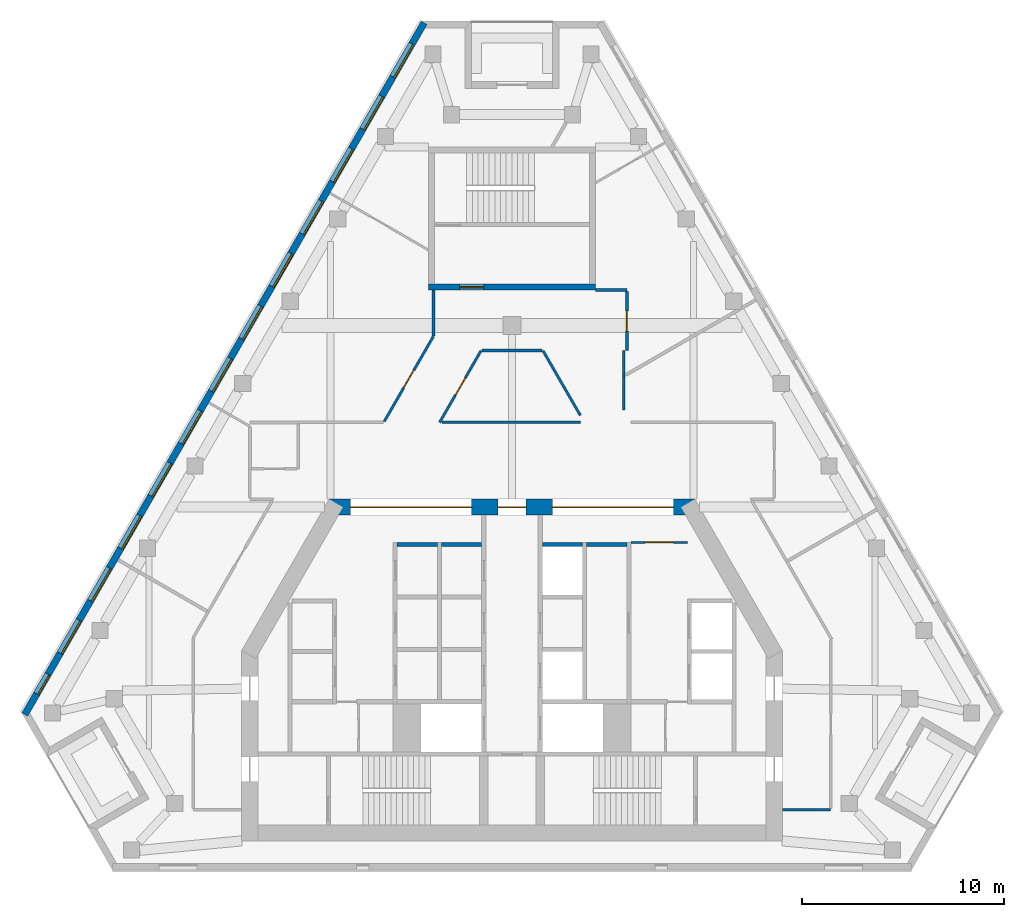
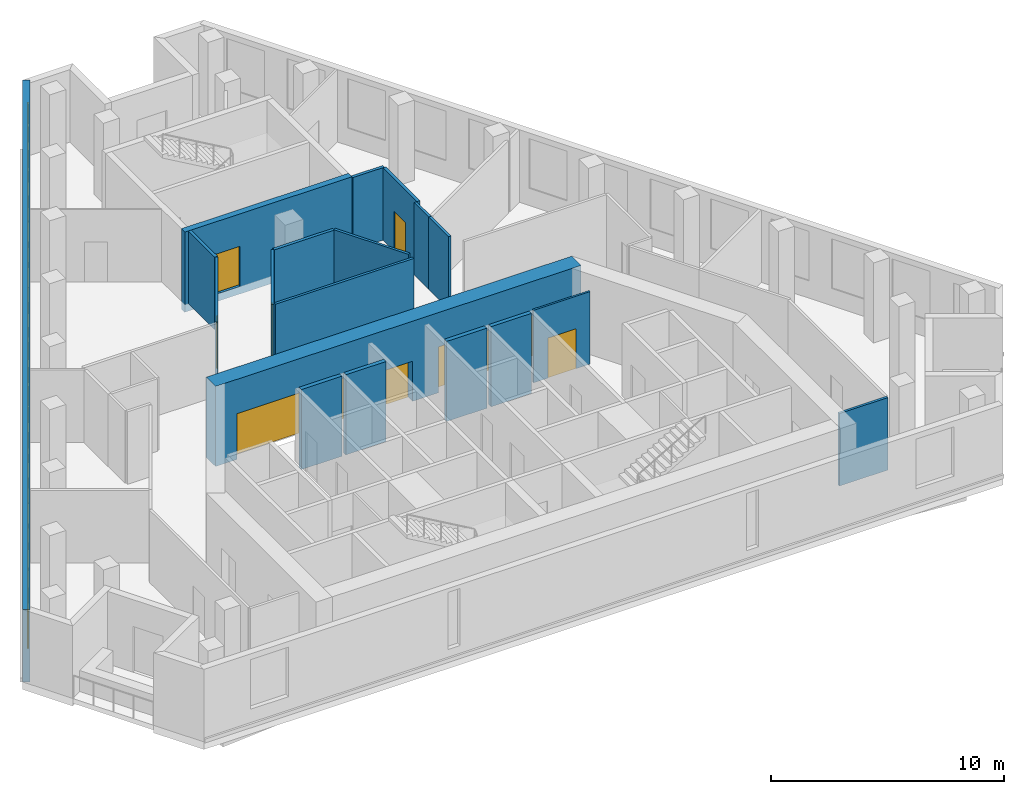
# One storey, part 4 of 8: 19 walls, 13 windows, 8 doors, 21 openings.
"""IFC4 building model written with IfcOpenShell, lengths in metres."""

from ifc_helpers import new_model, si_unit, direction, frame, frame_2d, origin, place, context, subcontext, project, spatial, rectangle, extrude, material, layer, layer_set, type_object, element, fill, save


model = new_model("IFC4")

# Units and contexts
model_context = context("Model", 3, precision=1e-05, world=origin(), true_north=direction((0.0, 1.0)))
body_context = subcontext(model_context, "Body", "Model", "MODEL_VIEW")
ifc_project = project(units=[si_unit("LENGTHUNIT", "METRE"), si_unit("AREAUNIT", "SQUARE_METRE"), si_unit("VOLUMEUNIT", "CUBIC_METRE"), si_unit("PLANEANGLEUNIT", "RADIAN"), si_unit("MASSUNIT", "GRAM", prefix="KILO")], contexts=[model_context])

# Site, building, storey
site_placement = place(None, origin())
site = spatial("IfcSite", under=ifc_project, at=site_placement, CompositionType="ELEMENT")
building_placement = place(site_placement, origin())
building = spatial("IfcBuilding", under=site, at=building_placement, Name="Fogline Exchange Tower", CompositionType="ELEMENT")
storey_placement = place(building_placement, frame((0.0, 0.0, 322.5)))
storey = spatial("IfcBuildingStorey", under=building, at=storey_placement, Name="L73", CompositionType="ELEMENT", Elevation=322.5)

# Wall, opening, door
ifc_material_1 = material(Name="Blockwork partition", Category="masonry")
ifc_layer_1 = layer(ifc_material_1, 0.10009765625)
ifc_layer_set_1 = layer_set([ifc_layer_1], Name="CW10")
wall_type_1 = type_object("IfcWallType", Name="CW10", PredefinedType="PARTITIONING", material=ifc_layer_set_1)
wall_1_placement = place(storey_placement, frame((5.89990234375, 16.25, 0.0), z_axis=(0.0, 0.0, 1.0), x_axis=(1.0, 0.0, 0.0)))
wall_1 = element("IfcWall", 1, at=wall_1_placement, inside=storey, type_object=wall_type_1, Name="Lift lobby partition", PredefinedType="PARTITIONING", context=body_context, shape_type="SweptSolid", body=[
    extrude(rectangle(XDim=2.800048828125, YDim=0.10009765625, at=frame_2d((1.39990234375, 0.0))), origin(), (0.0, 0.0, 1.0), 3.800048828125),
])
opening_1_placement = place(wall_1_placement, frame((0.699951171875, 0.0, 0.0)))
opening_1 = element("IfcOpeningElement", 2, at=opening_1_placement, cuts=wall_1, Name="Opening T23-C017", PredefinedType="OPENING", context=body_context, shape_type="SweptSolid", body=[
    extrude(rectangle(XDim=1.39990234375, YDim=2.10009765625, at=frame_2d((0.699951171875, 1.050048828125))), frame((0.0, 0.06005859375, 0.0), z_axis=(0.0, -1.0, 0.0), x_axis=(1.0, 0.0, 0.0)), (0.0, 0.0, 1.0), 0.1201171875),
])
ifc_material_2 = material(Name="Steel and timber fire door", Category="steel")
door_type_1 = type_object("IfcDoorType", Name="D-LB1", OperationType="DOUBLE_DOOR_SINGLE_SWING", PredefinedType="DOOR", material=ifc_material_2)
door_1_placement = place(opening_1_placement, origin())
door_1 = element("IfcDoor", 3, at=door_1_placement, inside=storey, type_object=door_type_1, Name="Door to lift lobby", OperationType="DOUBLE_DOOR_SINGLE_SWING", OverallHeight=2.10009765625, OverallWidth=1.39990234375, PredefinedType="DOOR", context=body_context, shape_type="SweptSolid", body=[
    extrude(rectangle(XDim=1.39990234375, YDim=2.10009765625, at=frame_2d((0.699951171875, 1.050048828125))), frame((0.0, 0.02490234375, 0.0), z_axis=(0.0, -1.0, 0.0), x_axis=(1.0, 0.0, 0.0)), (0.0, 0.0, 1.0), 0.050048828125),
])
fill(opening_1, door_1)

# Walls
ifc_material_3 = material(Name="Concrete C40", Category="concrete")
ifc_layer_2 = layer(ifc_material_3, 0.199951171875)
ifc_layer_set_2 = layer_set([ifc_layer_2], Name="CW20S")
wall_type_2 = type_object("IfcWallType", Name="CW20S", PredefinedType="SOLIDWALL", material=ifc_layer_set_2)
for number, where, z_axis, x_axis, name in (
    (4, (-5.699951171875, 16.14990234375, -0.39990234375), (0.0, 0.0, 1.0), (1.0, 0.0, 0.0), "Lift shaft wall"),
    (5, (-3.5, 16.14990234375, -0.39990234375), (0.0, 0.0, 1.0), (1.0, 0.0, 0.0), "Lift shaft wall"),
    (6, (3.699951171875, 16.14990234375, -0.39990234375), (0.0, 0.0, 1.0), (1.0, 0.0, 0.0), "Lift shaft wall"),
    (7, (1.5, 16.14990234375, -0.39990234375), (0.0, 0.0, 1.0), (1.0, 0.0, 0.0), "Lift shaft wall"),
):
    element("IfcWall", number, at=place(storey_placement, frame(where, z_axis=z_axis, x_axis=x_axis)), inside=storey, type_object=wall_type_2, Name=name, PredefinedType="SOLIDWALL", context=body_context, shape_type="SweptSolid", body=[
        extrude(rectangle(XDim=2.0, YDim=0.199951171875, at=frame_2d((1.0, 0.0))), origin(), (0.0, 0.0, 1.0), 4.199951171875),
    ])

# Wall, opening, door
ifc_layer_3 = layer(ifc_material_3, 0.300048828125)
ifc_layer_set_3 = layer_set([ifc_layer_3], Name="CW30")
wall_type_3 = type_object("IfcWallType", Name="CW30", PredefinedType="SOLIDWALL", material=ifc_layer_set_3)
wall_2_placement = place(storey_placement, frame((-4.14990234375, 28.906982421875, -0.39990234375), z_axis=(0.0, 0.0, 1.0), x_axis=(1.0, 0.0, 0.0)))
wall_2 = element("IfcWall", 8, at=wall_2_placement, inside=storey, type_object=wall_type_3, Name="Stair enclosure wall ST3", PredefinedType="SOLIDWALL", context=body_context, shape_type="SweptSolid", body=[
    extrude(rectangle(XDim=8.2998046875, YDim=0.300048828125, at=frame_2d((4.14990234375, 0.0))), origin(), (0.0, 0.0, 1.0), 4.199951171875),
])
opening_2_placement = place(wall_2_placement, frame((1.550048828125, 0.0, 0.39990234375)))
opening_2 = element("IfcOpeningElement", 9, at=opening_2_placement, cuts=wall_2, Name="Opening T23-C026", PredefinedType="OPENING", context=body_context, shape_type="SweptSolid", body=[
    extrude(rectangle(XDim=1.199951171875, YDim=2.10009765625, at=frame_2d((0.60009765625, 1.050048828125))), frame((0.0, 0.16015625, 0.0), z_axis=(0.0, -1.0, 0.0), x_axis=(1.0, 0.0, 0.0)), (0.0, 0.0, 1.0), 0.320068359375),
])
door_type_2 = type_object("IfcDoorType", Name="D-FR1", OperationType="SINGLE_SWING_RIGHT", PredefinedType="DOOR", material=ifc_material_2)
door_2_placement = place(opening_2_placement, origin())
door_2 = element("IfcDoor", 10, at=door_2_placement, inside=storey, type_object=door_type_2, Name="Front room door ST3", OperationType="SINGLE_SWING_LEFT", OverallHeight=2.10009765625, OverallWidth=1.199951171875, PredefinedType="DOOR", context=body_context, shape_type="SweptSolid", body=[
    extrude(rectangle(XDim=1.199951171875, YDim=2.10009765625, at=frame_2d((0.60009765625, 1.050048828125))), frame((0.0, 0.02490234375, 0.0), z_axis=(0.0, -1.0, 0.0), x_axis=(1.0, 0.0, 0.0)), (0.0, 0.0, 1.0), 0.050048828125),
])
fill(opening_2, door_2)

# Wall, openings, windows
ifc_material_4 = material(Name="Brick masonry", Category="masonry")
ifc_layer_4 = layer(ifc_material_4, 0.340087890625)
ifc_layer_set_4 = layer_set([ifc_layer_4], Name="FW1")
wall_type_4 = type_object("IfcWallType", Name="FW1", PredefinedType="SOLIDWALL", material=ifc_layer_set_4)
wall_3_placement = place(storey_placement, frame((-4.352783203125, 42.0166015625, 0.0), z_axis=(0.0, 0.0, 1.0), x_axis=(-0.500000037544, -0.866025382108, 0.0)))
wall_3 = element("IfcWall", 11, at=wall_3_placement, inside=storey, type_object=wall_type_4, Name="Brick wall L73 W", PredefinedType="SOLIDWALL", context=body_context, shape_type="SweptSolid", body=[
    extrude(rectangle(XDim=39.61474609375, YDim=0.340087890625, at=frame_2d((19.807373046875, 0.0))), origin(), (0.0, 0.0, 1.0), 3.800048828125),
])
opening_3_placement = place(wall_3_placement, frame((1.211181640625, 0.0, 0.89990234375)))
opening_3 = element("IfcOpeningElement", 12, at=opening_3_placement, cuts=wall_3, Name="Opening W3", PredefinedType="OPENING", context=body_context, shape_type="SweptSolid", body=[
    extrude(rectangle(XDim=1.885009765625, YDim=2.60009765625, at=frame_2d((0.9423828125, 1.300048828125))), frame((0.0, 0.18017578125, 0.0), z_axis=(0.0, -1.0, 0.0), x_axis=(1.0, 0.0, 0.0)), (0.0, 0.0, 1.0), 0.360107421875),
])
opening_4_placement = place(wall_3_placement, frame((4.211181640625, 0.0, 0.89990234375)))
opening_4 = element("IfcOpeningElement", 13, at=opening_4_placement, cuts=wall_3, Name="Opening W3", PredefinedType="OPENING", context=body_context, shape_type="SweptSolid", body=[
    extrude(rectangle(XDim=1.885009765625, YDim=2.60009765625, at=frame_2d((0.9423828125, 1.300048828125))), frame((0.0, 0.18017578125, 0.0), z_axis=(0.0, -1.0, 0.0), x_axis=(1.0, 0.0, 0.0)), (0.0, 0.0, 1.0), 0.360107421875),
])
opening_5_placement = place(wall_3_placement, frame((7.211181640625, 0.0, 0.89990234375)))
opening_5 = element("IfcOpeningElement", 14, at=opening_5_placement, cuts=wall_3, Name="Opening W3", PredefinedType="OPENING", context=body_context, shape_type="SweptSolid", body=[
    extrude(rectangle(XDim=1.885009765625, YDim=2.60009765625, at=frame_2d((0.9423828125, 1.300048828125))), frame((0.0, 0.18017578125, 0.0), z_axis=(0.0, -1.0, 0.0), x_axis=(1.0, 0.0, 0.0)), (0.0, 0.0, 1.0), 0.360107421875),
])
opening_6_placement = place(wall_3_placement, frame((10.211181640625, 0.0, 0.89990234375)))
opening_6 = element("IfcOpeningElement", 15, at=opening_6_placement, cuts=wall_3, Name="Opening W3", PredefinedType="OPENING", context=body_context, shape_type="SweptSolid", body=[
    extrude(rectangle(XDim=1.885009765625, YDim=2.60009765625, at=frame_2d((0.9423828125, 1.300048828125))), frame((0.0, 0.18017578125, 0.0), z_axis=(0.0, -1.0, 0.0), x_axis=(1.0, 0.0, 0.0)), (0.0, 0.0, 1.0), 0.360107421875),
])
opening_7_placement = place(wall_3_placement, frame((13.211181640625, 0.0, 0.89990234375)))
opening_7 = element("IfcOpeningElement", 16, at=opening_7_placement, cuts=wall_3, Name="Opening W3", PredefinedType="OPENING", context=body_context, shape_type="SweptSolid", body=[
    extrude(rectangle(XDim=1.885009765625, YDim=2.60009765625, at=frame_2d((0.9423828125, 1.300048828125))), frame((0.0, 0.18017578125, 0.0), z_axis=(0.0, -1.0, 0.0), x_axis=(1.0, 0.0, 0.0)), (0.0, 0.0, 1.0), 0.360107421875),
])
opening_8_placement = place(wall_3_placement, frame((16.211181640625, 0.0, 0.89990234375)))
opening_8 = element("IfcOpeningElement", 17, at=opening_8_placement, cuts=wall_3, Name="Opening W3", PredefinedType="OPENING", context=body_context, shape_type="SweptSolid", body=[
    extrude(rectangle(XDim=1.885009765625, YDim=2.60009765625, at=frame_2d((0.9423828125, 1.300048828125))), frame((0.0, 0.18017578125, 0.0), z_axis=(0.0, -1.0, 0.0), x_axis=(1.0, 0.0, 0.0)), (0.0, 0.0, 1.0), 0.360107421875),
])
opening_9_placement = place(wall_3_placement, frame((19.211181640625, 0.0, 0.89990234375)))
opening_9 = element("IfcOpeningElement", 18, at=opening_9_placement, cuts=wall_3, Name="Opening W3", PredefinedType="OPENING", context=body_context, shape_type="SweptSolid", body=[
    extrude(rectangle(XDim=1.885009765625, YDim=2.60009765625, at=frame_2d((0.9423828125, 1.300048828125))), frame((0.0, 0.18017578125, 0.0), z_axis=(0.0, -1.0, 0.0), x_axis=(1.0, 0.0, 0.0)), (0.0, 0.0, 1.0), 0.360107421875),
])
opening_10_placement = place(wall_3_placement, frame((22.211181640625, 0.0, 0.89990234375)))
opening_10 = element("IfcOpeningElement", 19, at=opening_10_placement, cuts=wall_3, Name="Opening W3", PredefinedType="OPENING", context=body_context, shape_type="SweptSolid", body=[
    extrude(rectangle(XDim=1.885009765625, YDim=2.60009765625, at=frame_2d((0.9423828125, 1.300048828125))), frame((0.0, 0.18017578125, 0.0), z_axis=(0.0, -1.0, 0.0), x_axis=(1.0, 0.0, 0.0)), (0.0, 0.0, 1.0), 0.360107421875),
])
opening_11_placement = place(wall_3_placement, frame((25.211181640625, 0.0, 0.89990234375)))
opening_11 = element("IfcOpeningElement", 20, at=opening_11_placement, cuts=wall_3, Name="Opening W3", PredefinedType="OPENING", context=body_context, shape_type="SweptSolid", body=[
    extrude(rectangle(XDim=1.885009765625, YDim=2.60009765625, at=frame_2d((0.9423828125, 1.300048828125))), frame((0.0, 0.18017578125, 0.0), z_axis=(0.0, -1.0, 0.0), x_axis=(1.0, 0.0, 0.0)), (0.0, 0.0, 1.0), 0.360107421875),
])
opening_12_placement = place(wall_3_placement, frame((28.211181640625, 0.0, 0.89990234375)))
opening_12 = element("IfcOpeningElement", 21, at=opening_12_placement, cuts=wall_3, Name="Opening W3", PredefinedType="OPENING", context=body_context, shape_type="SweptSolid", body=[
    extrude(rectangle(XDim=1.885009765625, YDim=2.60009765625, at=frame_2d((0.9423828125, 1.300048828125))), frame((0.0, 0.18017578125, 0.0), z_axis=(0.0, -1.0, 0.0), x_axis=(1.0, 0.0, 0.0)), (0.0, 0.0, 1.0), 0.360107421875),
])
opening_13_placement = place(wall_3_placement, frame((31.211181640625, 0.0, 0.89990234375)))
opening_13 = element("IfcOpeningElement", 22, at=opening_13_placement, cuts=wall_3, Name="Opening W3", PredefinedType="OPENING", context=body_context, shape_type="SweptSolid", body=[
    extrude(rectangle(XDim=1.885009765625, YDim=2.60009765625, at=frame_2d((0.9423828125, 1.300048828125))), frame((0.0, 0.18017578125, 0.0), z_axis=(0.0, -1.0, 0.0), x_axis=(1.0, 0.0, 0.0)), (0.0, 0.0, 1.0), 0.360107421875),
])
opening_14_placement = place(wall_3_placement, frame((34.211181640625, 0.0, 0.89990234375)))
opening_14 = element("IfcOpeningElement", 23, at=opening_14_placement, cuts=wall_3, Name="Opening W3", PredefinedType="OPENING", context=body_context, shape_type="SweptSolid", body=[
    extrude(rectangle(XDim=1.885009765625, YDim=2.60009765625, at=frame_2d((0.9423828125, 1.300048828125))), frame((0.0, 0.18017578125, 0.0), z_axis=(0.0, -1.0, 0.0), x_axis=(1.0, 0.0, 0.0)), (0.0, 0.0, 1.0), 0.360107421875),
])
opening_15_placement = place(wall_3_placement, frame((37.2978515625, 0.0, 0.89990234375)))
opening_15 = element("IfcOpeningElement", 24, at=opening_15_placement, cuts=wall_3, Name="Opening W4", PredefinedType="OPENING", context=body_context, shape_type="SweptSolid", body=[
    extrude(rectangle(XDim=1.114990234375, YDim=2.39990234375, at=frame_2d((0.5576171875, 1.199951171875))), frame((0.0, 0.18017578125, 0.0), z_axis=(0.0, -1.0, 0.0), x_axis=(1.0, 0.0, 0.0)), (0.0, 0.0, 1.0), 0.360107421875),
])
ifc_material_5 = material(Name="Aluminium and glass", Category="aluminium")
window_type_1 = type_object("IfcWindowType", Name="W3", PartitioningType="SINGLE_PANEL", PredefinedType="WINDOW", material=ifc_material_5)
window_1_placement = place(opening_3_placement, origin())
window_1 = element("IfcWindow", 25, at=window_1_placement, inside=storey, type_object=window_type_1, Name="W3 W3", OverallHeight=2.60009765625, OverallWidth=1.885009765625, PartitioningType="SINGLE_PANEL", PredefinedType="WINDOW", context=body_context, shape_type="SweptSolid", body=[
    extrude(rectangle(XDim=1.885009765625, YDim=2.60009765625, at=frame_2d((0.9423828125, 1.300048828125))), frame((0.0, 0.110107421875, 0.0), z_axis=(0.0, -1.0, 0.0), x_axis=(1.0, 0.0, 0.0)), (0.0, 0.0, 1.0), 0.06005859375),
])
fill(opening_3, window_1)
window_2_placement = place(opening_4_placement, origin())
window_2 = element("IfcWindow", 26, at=window_2_placement, inside=storey, type_object=window_type_1, Name="W3 W3", OverallHeight=2.60009765625, OverallWidth=1.885009765625, PartitioningType="SINGLE_PANEL", PredefinedType="WINDOW", context=body_context, shape_type="SweptSolid", body=[
    extrude(rectangle(XDim=1.885009765625, YDim=2.60009765625, at=frame_2d((0.9423828125, 1.300048828125))), frame((0.0, 0.110107421875, 0.0), z_axis=(0.0, -1.0, 0.0), x_axis=(1.0, 0.0, 0.0)), (0.0, 0.0, 1.0), 0.06005859375),
])
fill(opening_4, window_2)
window_3_placement = place(opening_5_placement, origin())
window_3 = element("IfcWindow", 27, at=window_3_placement, inside=storey, type_object=window_type_1, Name="W3 W3", OverallHeight=2.60009765625, OverallWidth=1.885009765625, PartitioningType="SINGLE_PANEL", PredefinedType="WINDOW", context=body_context, shape_type="SweptSolid", body=[
    extrude(rectangle(XDim=1.885009765625, YDim=2.60009765625, at=frame_2d((0.9423828125, 1.300048828125))), frame((0.0, 0.110107421875, 0.0), z_axis=(0.0, -1.0, 0.0), x_axis=(1.0, 0.0, 0.0)), (0.0, 0.0, 1.0), 0.06005859375),
])
fill(opening_5, window_3)
window_4_placement = place(opening_6_placement, origin())
window_4 = element("IfcWindow", 28, at=window_4_placement, inside=storey, type_object=window_type_1, Name="W3 W3", OverallHeight=2.60009765625, OverallWidth=1.885009765625, PartitioningType="SINGLE_PANEL", PredefinedType="WINDOW", context=body_context, shape_type="SweptSolid", body=[
    extrude(rectangle(XDim=1.885009765625, YDim=2.60009765625, at=frame_2d((0.9423828125, 1.300048828125))), frame((0.0, 0.110107421875, 0.0), z_axis=(0.0, -1.0, 0.0), x_axis=(1.0, 0.0, 0.0)), (0.0, 0.0, 1.0), 0.06005859375),
])
fill(opening_6, window_4)
window_5_placement = place(opening_7_placement, origin())
window_5 = element("IfcWindow", 29, at=window_5_placement, inside=storey, type_object=window_type_1, Name="W3 W3", OverallHeight=2.60009765625, OverallWidth=1.885009765625, PartitioningType="SINGLE_PANEL", PredefinedType="WINDOW", context=body_context, shape_type="SweptSolid", body=[
    extrude(rectangle(XDim=1.885009765625, YDim=2.60009765625, at=frame_2d((0.9423828125, 1.300048828125))), frame((0.0, 0.110107421875, 0.0), z_axis=(0.0, -1.0, 0.0), x_axis=(1.0, 0.0, 0.0)), (0.0, 0.0, 1.0), 0.06005859375),
])
fill(opening_7, window_5)
window_6_placement = place(opening_8_placement, origin())
window_6 = element("IfcWindow", 30, at=window_6_placement, inside=storey, type_object=window_type_1, Name="W3 W3", OverallHeight=2.60009765625, OverallWidth=1.885009765625, PartitioningType="SINGLE_PANEL", PredefinedType="WINDOW", context=body_context, shape_type="SweptSolid", body=[
    extrude(rectangle(XDim=1.885009765625, YDim=2.60009765625, at=frame_2d((0.9423828125, 1.300048828125))), frame((0.0, 0.110107421875, 0.0), z_axis=(0.0, -1.0, 0.0), x_axis=(1.0, 0.0, 0.0)), (0.0, 0.0, 1.0), 0.06005859375),
])
fill(opening_8, window_6)
window_7_placement = place(opening_9_placement, origin())
window_7 = element("IfcWindow", 31, at=window_7_placement, inside=storey, type_object=window_type_1, Name="W3 W3", OverallHeight=2.60009765625, OverallWidth=1.885009765625, PartitioningType="SINGLE_PANEL", PredefinedType="WINDOW", context=body_context, shape_type="SweptSolid", body=[
    extrude(rectangle(XDim=1.885009765625, YDim=2.60009765625, at=frame_2d((0.9423828125, 1.300048828125))), frame((0.0, 0.110107421875, 0.0), z_axis=(0.0, -1.0, 0.0), x_axis=(1.0, 0.0, 0.0)), (0.0, 0.0, 1.0), 0.06005859375),
])
fill(opening_9, window_7)
window_8_placement = place(opening_10_placement, origin())
window_8 = element("IfcWindow", 32, at=window_8_placement, inside=storey, type_object=window_type_1, Name="W3 W3", OverallHeight=2.60009765625, OverallWidth=1.885009765625, PartitioningType="SINGLE_PANEL", PredefinedType="WINDOW", context=body_context, shape_type="SweptSolid", body=[
    extrude(rectangle(XDim=1.885009765625, YDim=2.60009765625, at=frame_2d((0.9423828125, 1.300048828125))), frame((0.0, 0.110107421875, 0.0), z_axis=(0.0, -1.0, 0.0), x_axis=(1.0, 0.0, 0.0)), (0.0, 0.0, 1.0), 0.06005859375),
])
fill(opening_10, window_8)
window_9_placement = place(opening_11_placement, origin())
window_9 = element("IfcWindow", 33, at=window_9_placement, inside=storey, type_object=window_type_1, Name="W3 W3", OverallHeight=2.60009765625, OverallWidth=1.885009765625, PartitioningType="SINGLE_PANEL", PredefinedType="WINDOW", context=body_context, shape_type="SweptSolid", body=[
    extrude(rectangle(XDim=1.885009765625, YDim=2.60009765625, at=frame_2d((0.9423828125, 1.300048828125))), frame((0.0, 0.110107421875, 0.0), z_axis=(0.0, -1.0, 0.0), x_axis=(1.0, 0.0, 0.0)), (0.0, 0.0, 1.0), 0.06005859375),
])
fill(opening_11, window_9)
window_10_placement = place(opening_12_placement, origin())
window_10 = element("IfcWindow", 34, at=window_10_placement, inside=storey, type_object=window_type_1, Name="W3 W3", OverallHeight=2.60009765625, OverallWidth=1.885009765625, PartitioningType="SINGLE_PANEL", PredefinedType="WINDOW", context=body_context, shape_type="SweptSolid", body=[
    extrude(rectangle(XDim=1.885009765625, YDim=2.60009765625, at=frame_2d((0.9423828125, 1.300048828125))), frame((0.0, 0.110107421875, 0.0), z_axis=(0.0, -1.0, 0.0), x_axis=(1.0, 0.0, 0.0)), (0.0, 0.0, 1.0), 0.06005859375),
])
fill(opening_12, window_10)
window_11_placement = place(opening_13_placement, origin())
window_11 = element("IfcWindow", 35, at=window_11_placement, inside=storey, type_object=window_type_1, Name="W3 W3", OverallHeight=2.60009765625, OverallWidth=1.885009765625, PartitioningType="SINGLE_PANEL", PredefinedType="WINDOW", context=body_context, shape_type="SweptSolid", body=[
    extrude(rectangle(XDim=1.885009765625, YDim=2.60009765625, at=frame_2d((0.9423828125, 1.300048828125))), frame((0.0, 0.110107421875, 0.0), z_axis=(0.0, -1.0, 0.0), x_axis=(1.0, 0.0, 0.0)), (0.0, 0.0, 1.0), 0.06005859375),
])
fill(opening_13, window_11)
window_12_placement = place(opening_14_placement, origin())
window_12 = element("IfcWindow", 36, at=window_12_placement, inside=storey, type_object=window_type_1, Name="W3 W3", OverallHeight=2.60009765625, OverallWidth=1.885009765625, PartitioningType="SINGLE_PANEL", PredefinedType="WINDOW", context=body_context, shape_type="SweptSolid", body=[
    extrude(rectangle(XDim=1.885009765625, YDim=2.60009765625, at=frame_2d((0.9423828125, 1.300048828125))), frame((0.0, 0.110107421875, 0.0), z_axis=(0.0, -1.0, 0.0), x_axis=(1.0, 0.0, 0.0)), (0.0, 0.0, 1.0), 0.06005859375),
])
fill(opening_14, window_12)
window_type_2 = type_object("IfcWindowType", Name="W4", PartitioningType="SINGLE_PANEL", PredefinedType="WINDOW", material=ifc_material_5)
window_13_placement = place(opening_15_placement, origin())
window_13 = element("IfcWindow", 37, at=window_13_placement, inside=storey, type_object=window_type_2, Name="W4 W4", OverallHeight=2.39990234375, OverallWidth=1.114990234375, PartitioningType="SINGLE_PANEL", PredefinedType="WINDOW", context=body_context, shape_type="SweptSolid", body=[
    extrude(rectangle(XDim=1.114990234375, YDim=2.39990234375, at=frame_2d((0.5576171875, 1.199951171875))), frame((0.0, 0.110107421875, 0.0), z_axis=(0.0, -1.0, 0.0), x_axis=(1.0, 0.0, 0.0)), (0.0, 0.0, 1.0), 0.06005859375),
])
fill(opening_15, window_13)

# Walls
ifc_material_6 = material(Name="Plasterboard corridor partition with mineral wool, 2 layers each side")
ifc_layer_5 = layer(ifc_material_6, 0.125)
ifc_layer_set_5 = layer_set([ifc_layer_5], Name="PW2")
wall_type_5 = type_object("IfcWallType", Name="PW2", PredefinedType="PARTITIONING", material=ifc_layer_set_5)
wall_4_placement = place(storey_placement, frame((15.800048828125, 3.0, 0.0), z_axis=(0.0, 0.0, 1.0), x_axis=(-1.0, 0.0, 0.0)))
element("IfcWall", 38, at=wall_4_placement, inside=storey, type_object=wall_type_5, Name="wall-L73-W004", PredefinedType="PARTITIONING", context=body_context, shape_type="SweptSolid", body=[
    extrude(rectangle(XDim=2.400146484375, YDim=0.125, at=frame_2d((1.2001953125, 0.0))), origin(), (0.0, 0.0, 1.0), 3.800048828125),
])
wall_5_placement = place(storey_placement, frame((-3.47998046875, 22.199951171875, 0.0), z_axis=(0.0, 0.0, 1.0), x_axis=(1.0, 0.0, 0.0)))
element("IfcWall", 39, at=wall_5_placement, inside=storey, type_object=wall_type_5, Name="wall-L73-W008", PredefinedType="PARTITIONING", context=body_context, shape_type="SweptSolid", body=[
    extrude(rectangle(XDim=6.867431640625, YDim=0.125, at=frame_2d((3.43359375, 0.0))), origin(), (0.0, 0.0, 1.0), 3.800048828125),
])
wall_6_placement = place(storey_placement, frame((5.550048828125, 24.5, 0.0), z_axis=(0.0, 0.0, 1.0), x_axis=(0.0, -1.0, 0.0)))
element("IfcWall", 40, at=wall_6_placement, inside=storey, type_object=wall_type_5, Name="wall-L73-W022", PredefinedType="PARTITIONING", context=body_context, shape_type="SweptSolid", body=[
    extrude(rectangle(XDim=1.697021484375, YDim=0.125, at=frame_2d((0.8486328125, 0.0))), origin(), (0.0, 0.0, 1.0), 3.800048828125),
])
wall_7_placement = place(storey_placement, frame((5.550048828125, 25.757080078125, 0.0), z_axis=(0.0, 0.0, 1.0), x_axis=(0.0, -1.0, 0.0)))
element("IfcWall", 41, at=wall_7_placement, inside=storey, type_object=wall_type_5, Name="wall-L73-W023", PredefinedType="PARTITIONING", context=body_context, shape_type="SweptSolid", body=[
    extrude(rectangle(XDim=1.257080078125, YDim=0.125, at=frame_2d((0.62841796875, 0.0))), origin(), (0.0, 0.0, 1.0), 3.800048828125),
])

# Wall, opening, door
wall_8_placement = place(storey_placement, frame((-1.53515625, 25.757080078125, 0.0), z_axis=(0.0, 0.0, 1.0), x_axis=(-0.499955712069, -0.866050971923, 0.0)))
wall_8 = element("IfcWall", 42, at=wall_8_placement, inside=storey, type_object=wall_type_5, Name="wall-L73-W024", PredefinedType="PARTITIONING", context=body_context, shape_type="SweptSolid", body=[
    extrude(rectangle(XDim=4.107177734375, YDim=0.125, at=frame_2d((2.0537109375, 0.0))), origin(), (0.0, 0.0, 1.0), 3.800048828125),
])
opening_16_placement = place(wall_8_placement, frame((1.5537109375, 0.0, 0.0)))
opening_16 = element("IfcOpeningElement", 43, at=opening_16_placement, cuts=wall_8, Name="Opening T23-D007", PredefinedType="OPENING", context=body_context, shape_type="SweptSolid", body=[
    extrude(rectangle(XDim=1.0, YDim=2.10009765625, at=frame_2d((0.5, 1.050048828125))), frame((0.0, 0.072509765625, 0.0), z_axis=(0.0, -1.0, 0.0), x_axis=(1.0, 0.0, 0.0)), (0.0, 0.0, 1.0), 0.14501953125),
])
ifc_material_7 = material(Name="Fire-rated timber door leaf with steel frame", Category="steel")
door_type_3 = type_object("IfcDoorType", Name="D3", OperationType="SINGLE_SWING_LEFT", PredefinedType="DOOR", material=ifc_material_7)
door_3_placement = place(opening_16_placement, origin())
door_3 = element("IfcDoor", 44, at=door_3_placement, inside=storey, type_object=door_type_3, Name="door-L73-D007", OperationType="SINGLE_SWING_LEFT", OverallHeight=2.10009765625, OverallWidth=1.0, PredefinedType="DOOR", context=body_context, shape_type="SweptSolid", body=[
    extrude(rectangle(XDim=1.0, YDim=2.10009765625, at=frame_2d((0.5, 1.050048828125))), frame((0.0, 0.02490234375, 0.0), z_axis=(0.0, -1.0, 0.0), x_axis=(1.0, 0.0, 0.0)), (0.0, 0.0, 1.0), 0.050048828125),
])
fill(opening_16, door_3)

wall_9_placement = place(storey_placement, frame((-6.3330078125, 22.246826171875, 0.0), z_axis=(0.0, 0.0, 1.0), x_axis=(0.500013433606, 0.86601764775, 0.0)))
wall_9 = element("IfcWall", 45, at=wall_9_placement, inside=storey, type_object=wall_type_5, Name="wall-L73-W025", PredefinedType="PARTITIONING", context=body_context, shape_type="SweptSolid", body=[
    extrude(rectangle(XDim=4.865966796875, YDim=0.125, at=frame_2d((2.43310546875, 0.0))), origin(), (0.0, 0.0, 1.0), 3.800048828125),
])
opening_17_placement = place(wall_9_placement, frame((1.93310546875, 0.0, 0.0)))
opening_17 = element("IfcOpeningElement", 46, at=opening_17_placement, cuts=wall_9, Name="Opening T23-D008", PredefinedType="OPENING", context=body_context, shape_type="SweptSolid", body=[
    extrude(rectangle(XDim=1.0, YDim=2.10009765625, at=frame_2d((0.5, 1.050048828125))), frame((0.0, 0.072509765625, 0.0), z_axis=(0.0, -1.0, 0.0), x_axis=(1.0, 0.0, 0.0)), (0.0, 0.0, 1.0), 0.14501953125),
])
door_4_placement = place(opening_17_placement, origin())
door_4 = element("IfcDoor", 47, at=door_4_placement, inside=storey, type_object=door_type_3, Name="door-L73-D008", OperationType="SINGLE_SWING_LEFT", OverallHeight=2.10009765625, OverallWidth=1.0, PredefinedType="DOOR", context=body_context, shape_type="SweptSolid", body=[
    extrude(rectangle(XDim=1.0, YDim=2.10009765625, at=frame_2d((0.5, 1.050048828125))), frame((0.0, 0.02490234375, 0.0), z_axis=(0.0, -1.0, 0.0), x_axis=(1.0, 0.0, 0.0)), (0.0, 0.0, 1.0), 0.050048828125),
])
fill(opening_17, door_4)

# Walls
wall_10_placement = place(storey_placement, frame((3.387451171875, 22.548583984375, 0.0), z_axis=(0.0, 0.0, 1.0), x_axis=(-0.499973447315, 0.866040733441, 0.0)))
element("IfcWall", 48, at=wall_10_placement, inside=storey, type_object=wall_type_5, Name="wall-L73-W026", PredefinedType="PARTITIONING", context=body_context, shape_type="SweptSolid", body=[
    extrude(rectangle(XDim=3.704833984375, YDim=0.125, at=frame_2d((1.8525390625, 0.0))), origin(), (0.0, 0.0, 1.0), 3.800048828125),
])
ifc_material_8 = material(Name="Plasterboard stair lobby partition, 3 layers each side on steel studs", Category="steel")
ifc_layer_6 = layer(ifc_material_8, 0.14990234375)
ifc_layer_set_6 = layer_set([ifc_layer_6], Name="PW4")
wall_type_6 = type_object("IfcWallType", Name="PW4", PredefinedType="PARTITIONING", material=ifc_layer_set_6)
wall_11_placement = place(storey_placement, frame((4.14990234375, 28.757080078125, 0.0), z_axis=(0.0, 0.0, 1.0), x_axis=(1.0, 0.0, 0.0)))
element("IfcWall", 49, at=wall_11_placement, inside=storey, type_object=wall_type_6, Name="wall-L73-W018", PredefinedType="PARTITIONING", context=body_context, shape_type="SweptSolid", body=[
    extrude(rectangle(XDim=1.550048828125, YDim=0.14990234375, at=frame_2d((0.77490234375, 0.0))), origin(), (0.0, 0.0, 1.0), 3.800048828125),
])

# Wall, opening, door
wall_12_placement = place(storey_placement, frame((5.699951171875, 28.681884765625, 0.0), z_axis=(0.0, 0.0, 1.0), x_axis=(0.0, -1.0, 0.0)))
wall_12 = element("IfcWall", 50, at=wall_12_placement, inside=storey, type_object=wall_type_6, Name="wall-L73-W019", PredefinedType="PARTITIONING", context=body_context, shape_type="SweptSolid", body=[
    extrude(rectangle(XDim=2.9248046875, YDim=0.14990234375, at=frame_2d((1.46240234375, 0.0))), origin(), (0.0, 0.0, 1.0), 3.800048828125),
])
opening_18_placement = place(wall_12_placement, frame((0.96240234375, 0.0, 0.0)))
opening_18 = element("IfcOpeningElement", 51, at=opening_18_placement, cuts=wall_12, Name="Opening T23-D006", PredefinedType="OPENING", context=body_context, shape_type="SweptSolid", body=[
    extrude(rectangle(XDim=1.0, YDim=2.10009765625, at=frame_2d((0.5, 1.050048828125))), frame((0.0, 0.0849609375, 0.0), z_axis=(0.0, -1.0, 0.0), x_axis=(1.0, 0.0, 0.0)), (0.0, 0.0, 1.0), 0.169921875),
])
door_5_placement = place(opening_18_placement, origin())
door_5 = element("IfcDoor", 52, at=door_5_placement, inside=storey, type_object=door_type_3, Name="door-L73-D006", OperationType="SINGLE_SWING_LEFT", OverallHeight=2.10009765625, OverallWidth=1.0, PredefinedType="DOOR", context=body_context, shape_type="SweptSolid", body=[
    extrude(rectangle(XDim=1.0, YDim=2.10009765625, at=frame_2d((0.5, 1.050048828125))), frame((0.0, 0.02490234375, 0.0), z_axis=(0.0, -1.0, 0.0), x_axis=(1.0, 0.0, 0.0)), (0.0, 0.0, 1.0), 0.050048828125),
])
fill(opening_18, door_5)

# Walls
wall_13_placement = place(storey_placement, frame((1.481201171875, 25.757080078125, 0.0), z_axis=(0.0, 0.0, 1.0), x_axis=(-1.0, 0.0, 0.0)))
element("IfcWall", 53, at=wall_13_placement, inside=storey, type_object=wall_type_6, Name="wall-L73-W020", PredefinedType="PARTITIONING", context=body_context, shape_type="SweptSolid", body=[
    extrude(rectangle(XDim=2.962158203125, YDim=0.14990234375, at=frame_2d((1.48095703125, 0.0))), origin(), (0.0, 0.0, 1.0), 3.800048828125),
])
wall_14_placement = place(storey_placement, frame((-3.89990234375, 26.491943359375, 0.0), z_axis=(0.0, 0.0, 1.0), x_axis=(0.0, 1.0, 0.0)))
element("IfcWall", 54, at=wall_14_placement, inside=storey, type_object=wall_type_6, Name="wall-L73-W021", PredefinedType="PARTITIONING", context=body_context, shape_type="SweptSolid", body=[
    extrude(rectangle(XDim=2.26513671875, YDim=0.14990234375, at=frame_2d((1.132568359375, 0.0))), origin(), (0.0, 0.0, 1.0), 3.800048828125),
])

# Wall, openings, doors
ifc_material_9 = material(Name="Concrete C50", Category="concrete")
ifc_layer_7 = layer(ifc_material_9, 0.800048828125)
ifc_layer_set_7 = layer_set([ifc_layer_7], Name="SW04")
wall_type_7 = type_object("IfcWallType", Name="SW04", PredefinedType="SHEAR", material=ifc_layer_set_7)
wall_15_placement = place(storey_placement, frame((9.065185546875, 18.0, 0.0), z_axis=(0.0, 0.0, 1.0), x_axis=(-1.0, 0.0, 0.0)))
wall_15 = element("IfcWall", 55, at=wall_15_placement, inside=storey, type_object=wall_type_7, Name="L73-W904", PredefinedType="SHEAR", context=body_context, shape_type="SweptSolid", body=[
    extrude(rectangle(XDim=18.13037109375, YDim=0.800048828125, at=frame_2d((9.065185546875, 0.0))), origin(), (0.0, 0.0, 1.0), 4.199951171875),
])
opening_19_placement = place(wall_15_placement, frame((8.364990234375, 0.0, 0.0)))
opening_19 = element("IfcOpeningElement", 56, at=opening_19_placement, cuts=wall_15, Name="Opening T23-C023", PredefinedType="OPENING", context=body_context, shape_type="SweptSolid", body=[
    extrude(rectangle(XDim=1.39990234375, YDim=2.10009765625, at=frame_2d((0.699951171875, 1.050048828125))), frame((0.0, 0.41015625, 0.0), z_axis=(0.0, -1.0, 0.0), x_axis=(1.0, 0.0, 0.0)), (0.0, 0.0, 1.0), 0.820068359375),
])
opening_20_placement = place(wall_15_placement, frame((11.065185546875, 0.0, 0.0)))
opening_20 = element("IfcOpeningElement", 57, at=opening_20_placement, cuts=wall_15, Name="Opening T23-C024", PredefinedType="OPENING", context=body_context, shape_type="SweptSolid", body=[
    extrude(rectangle(XDim=6.0, YDim=2.39990234375, at=frame_2d((3.0, 1.199951171875))), frame((0.0, 0.41015625, 0.0), z_axis=(0.0, -1.0, 0.0), x_axis=(1.0, 0.0, 0.0)), (0.0, 0.0, 1.0), 0.820068359375),
])
opening_21_placement = place(wall_15_placement, frame((1.065185546875, 0.0, 0.0)))
opening_21 = element("IfcOpeningElement", 58, at=opening_21_placement, cuts=wall_15, Name="Opening T23-C025", PredefinedType="OPENING", context=body_context, shape_type="SweptSolid", body=[
    extrude(rectangle(XDim=6.0, YDim=2.39990234375, at=frame_2d((3.0, 1.199951171875))), frame((0.0, 0.41015625, 0.0), z_axis=(0.0, -1.0, 0.0), x_axis=(1.0, 0.0, 0.0)), (0.0, 0.0, 1.0), 0.820068359375),
])
door_6_placement = place(opening_19_placement, origin())
door_6 = element("IfcDoor", 59, at=door_6_placement, inside=storey, type_object=door_type_1, Name="Protected lobby door", OperationType="DOUBLE_DOOR_SINGLE_SWING", OverallHeight=2.10009765625, OverallWidth=1.39990234375, PredefinedType="DOOR", context=body_context, shape_type="SweptSolid", body=[
    extrude(rectangle(XDim=1.39990234375, YDim=2.10009765625, at=frame_2d((0.699951171875, 1.050048828125))), frame((0.0, 0.02490234375, 0.0), z_axis=(0.0, -1.0, 0.0), x_axis=(1.0, 0.0, 0.0)), (0.0, 0.0, 1.0), 0.050048828125),
])
fill(opening_19, door_6)
door_type_4 = type_object("IfcDoorType", Name="D-LE1", OperationType="DOUBLE_DOOR_SLIDING", PredefinedType="DOOR", material=ifc_material_2)
door_7_placement = place(opening_20_placement, origin())
door_7 = element("IfcDoor", 60, at=door_7_placement, inside=storey, type_object=door_type_4, Name="Lift lobby entrance west", OperationType="DOUBLE_DOOR_SLIDING", OverallHeight=2.39990234375, OverallWidth=6.0, PredefinedType="DOOR", context=body_context, shape_type="SweptSolid", body=[
    extrude(rectangle(XDim=6.0, YDim=2.39990234375, at=frame_2d((3.0, 1.199951171875))), frame((0.0, 0.02490234375, 0.0), z_axis=(0.0, -1.0, 0.0), x_axis=(1.0, 0.0, 0.0)), (0.0, 0.0, 1.0), 0.050048828125),
])
fill(opening_20, door_7)
door_8_placement = place(opening_21_placement, origin())
door_8 = element("IfcDoor", 61, at=door_8_placement, inside=storey, type_object=door_type_4, Name="Lift lobby entrance east", OperationType="DOUBLE_DOOR_SLIDING", OverallHeight=2.39990234375, OverallWidth=6.0, PredefinedType="DOOR", context=body_context, shape_type="SweptSolid", body=[
    extrude(rectangle(XDim=6.0, YDim=2.39990234375, at=frame_2d((3.0, 1.199951171875))), frame((0.0, 0.02490234375, 0.0), z_axis=(0.0, -1.0, 0.0), x_axis=(1.0, 0.0, 0.0)), (0.0, 0.0, 1.0), 0.050048828125),
])
fill(opening_21, door_8)

save(model, "model.ifc")
